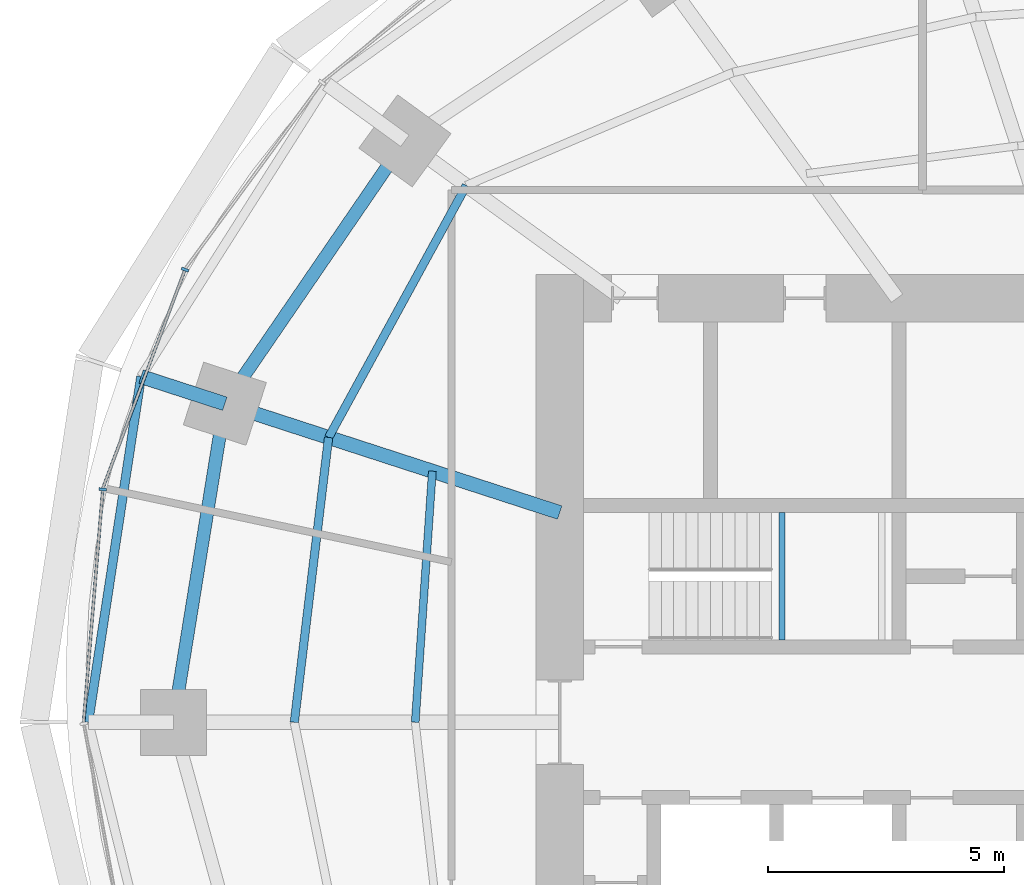
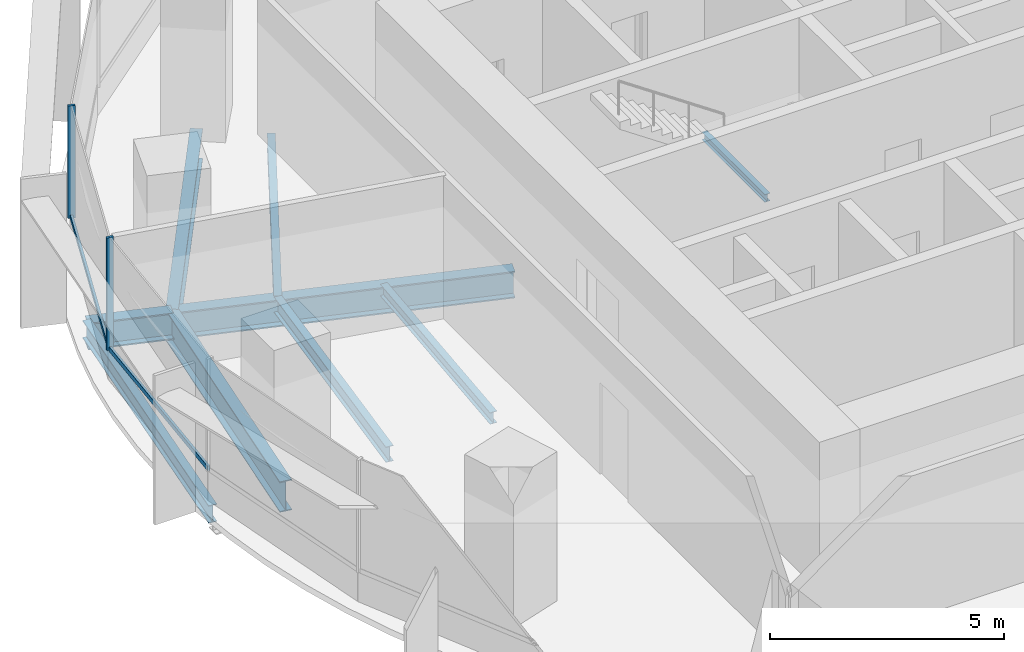
# One storey, part 4 of 15: 9 beams, 4 members, 1 element without a shape of its own.
"""IFC4 building model written with IfcOpenShell, lengths in metres."""

from ifc_helpers import new_model, si_unit, direction, frame, origin, origin_2d, place, context, subcontext, project, spatial, rectangle, i_section, extrude, material, material_profile, profile_set, type_object, element, aggregate, save


model = new_model("IFC4")

# Units and contexts
model_context = context("Model", 3, precision=1e-05, world=origin(), true_north=direction((0.0, 1.0)))
body_context = subcontext(model_context, "Body", "Model", "MODEL_VIEW")
ifc_project = project(units=[si_unit("LENGTHUNIT", "METRE"), si_unit("AREAUNIT", "SQUARE_METRE"), si_unit("VOLUMEUNIT", "CUBIC_METRE"), si_unit("PLANEANGLEUNIT", "RADIAN"), si_unit("MASSUNIT", "GRAM", prefix="KILO")], contexts=[model_context])

# Site, building, storey
site_placement = place(None, origin())
site = spatial("IfcSite", under=ifc_project, at=site_placement, CompositionType="ELEMENT")
building_placement = place(site_placement, origin())
building = spatial("IfcBuilding", under=site, at=building_placement, Name="Marramba Exchange Tower", CompositionType="ELEMENT")
storey_placement = place(building_placement, frame((0.0, 0.0, 226.699951171875)))
storey = spatial("IfcBuildingStorey", under=building, at=storey_placement, Name="L55", CompositionType="ELEMENT", Elevation=226.699951171875)

# Beams
ifc_material_1 = material(Name="Steel AS/NZS 3679.2 grade 300", Category="steel")
ifc_material_profile_1 = material_profile(ifc_material_1, i_section(OverallWidth=0.300048828125, OverallDepth=0.699951171875, WebThickness=0.010009765625, FlangeThickness=0.031982421875, at=origin_2d()), Name="700WB173")
ifc_profile_set_1 = profile_set([ifc_material_profile_1], Name="Steel AS/NZS 3679.2 grade 300")
beam_type_1 = type_object("IfcBeamType", Name="Cantilever girder 700WB173", PredefinedType="BEAM", material=ifc_profile_set_1)
beam_1_placement = place(storey_placement, frame((-20.808349609375, 6.760986328125, -0.510009765625), z_axis=(-0.951047511993, 0.309044705395, 0.0), x_axis=(-0.309044705395, -0.951047511993, 0.0)))
element("IfcBeam", 1, at=beam_1_placement, inside=storey, type_object=beam_type_1, Name="Cantilever girder L55 TC10", PredefinedType="BEAM", context=body_context, shape_type="SweptSolid", body=[
    extrude(i_section(OverallWidth=0.300048828125, OverallDepth=0.699951171875, WebThickness=0.010009765625, FlangeThickness=0.031982421875, at=origin_2d()), origin(), (0.0, 0.0, 1.0), 1.868408203125),
])
ifc_material_2 = material(Name="Steel AS/NZS 3679.1 grade 300", Category="steel")
ifc_material_profile_2 = material_profile(ifc_material_2, i_section(OverallWidth=0.166015625, OverallDepth=0.306884765625, WebThickness=0.006591796875, FlangeThickness=0.01171875, FilletRadius=0.011474609375, at=origin_2d()), Name="310UB46.2")
ifc_profile_set_2 = profile_set([ifc_material_profile_2], Name="Steel AS/NZS 3679.1 grade 300")
beam_type_2 = type_object("IfcBeamType", Name="Floor joist 310UB46.2", PredefinedType="JOIST", material=ifc_profile_set_2)
beam_2_placement = place(storey_placement, frame((-16.40283203125, 5.32958984375, -0.3134765625), z_axis=(-0.068096259546, -0.99767875563, 0.0), x_axis=(0.99767875563, -0.068096259546, 0.0)))
element("IfcBeam", 2, at=beam_2_placement, inside=storey, type_object=beam_type_2, Name="Joist L55 bay 10 row 1", PredefinedType="JOIST", context=body_context, shape_type="SweptSolid", body=[
    extrude(i_section(OverallWidth=0.166015625, OverallDepth=0.306884765625, WebThickness=0.006591796875, FlangeThickness=0.01171875, FilletRadius=0.011474609375, at=origin_2d()), origin(), (0.0, 0.0, 1.0), 5.342041015625),
])
ifc_material_profile_3 = material_profile(ifc_material_2, i_section(OverallWidth=0.177978515625, OverallDepth=0.406005859375, WebThickness=0.0078125, FlangeThickness=0.0126953125, FilletRadius=0.011474609375, at=origin_2d()), Name="410UB59.7")
ifc_profile_set_3 = profile_set([ifc_material_profile_3], Name="Steel AS/NZS 3679.1 grade 300")
beam_type_3 = type_object("IfcBeamType", Name="Floor joist 410UB59.7", PredefinedType="JOIST", material=ifc_profile_set_3)
beam_3_placement = place(storey_placement, frame((-15.682373046875, 11.393798828125, -0.363037109375), z_axis=(-0.479584443791, -0.877495732909, 0.0), x_axis=(0.877495732909, -0.479584443791, 0.0)))
element("IfcBeam", 3, at=beam_3_placement, inside=storey, type_object=beam_type_3, Name="Joist L55 bay 09 row 2", PredefinedType="JOIST", context=body_context, shape_type="SweptSolid", body=[
    extrude(i_section(OverallWidth=0.177978515625, OverallDepth=0.406005859375, WebThickness=0.0078125, FlangeThickness=0.0126953125, FilletRadius=0.011474609375, at=origin_2d()), origin(), (0.0, 0.0, 1.0), 6.094970703125),
])
beam_4_placement = place(storey_placement, frame((-18.60546875, 6.04541015625, -0.363037109375), z_axis=(-0.119523078538, -0.992831422597, 0.0), x_axis=(0.992831422597, -0.119523078538, 0.0)))
element("IfcBeam", 4, at=beam_4_placement, inside=storey, type_object=beam_type_3, Name="Joist L55 bay 10 row 2", PredefinedType="JOIST", context=body_context, shape_type="SweptSolid", body=[
    extrude(i_section(OverallWidth=0.177978515625, OverallDepth=0.406005859375, WebThickness=0.0078125, FlangeThickness=0.0126953125, FilletRadius=0.011474609375, at=origin_2d()), origin(), (0.0, 0.0, 1.0), 6.089111328125),
])

# Curtain wall, members
ifc_material_3 = material(Name="Aluminium framing, bronze anodised", Category="aluminium")
curtain_wall_type = type_object("IfcCurtainWallType", Name="Office ribbon curtain wall", PredefinedType="USERDEFINED", material=ifc_material_3)
curtain_wall_placement = place(storey_placement, origin())
curtain_wall = element("IfcCurtainWall", 5, at=curtain_wall_placement, inside=storey, type_object=curtain_wall_type, Name="Curtain wall CW4 L55 F11-F15", ObjectType="RIBBON CURTAIN WALL", PredefinedType="USERDEFINED")
ifc_material_4 = material(Name="Aluminium mullion, bronze anodised", Category="aluminium")
ifc_material_profile_4 = material_profile(ifc_material_4, rectangle(XDim=0.159912109375, YDim=0.06005859375, at=origin_2d()), Name="CW4 mullion 60x160")
ifc_profile_set_4 = profile_set([ifc_material_profile_4], Name="Aluminium mullion, bronze anodised")
member_type_1 = type_object("IfcMemberType", Name="Office ribbon curtain wall mullion", PredefinedType="MULLION", material=ifc_profile_set_4)
member_1_placement = place(storey_placement, frame((-21.65283203125, 9.607666015625, 0.800048828125), z_axis=(0.0, 0.0, 1.0), x_axis=(0.936018231909, -0.351951515885, 0.0)))
member_1 = element("IfcMember", 6, at=member_1_placement, type_object=member_type_1, Name="CW4 mullion 1", PredefinedType="MULLION", context=body_context, shape_type="SweptSolid", body=[
    extrude(rectangle(XDim=0.159912109375, YDim=0.06005859375, at=origin_2d()), origin(), (0.0, 0.0, 1.0), 2.93994140625),
])
member_2_placement = place(storey_placement, frame((-23.39794921875, 4.94287109375, 0.800048828125), z_axis=(0.0, 0.0, 1.0), x_axis=(0.996609178714, -0.082280890264, 0.0)))
member_2 = element("IfcMember", 7, at=member_2_placement, type_object=member_type_1, Name="CW4 mullion 1", PredefinedType="MULLION", context=body_context, shape_type="SweptSolid", body=[
    extrude(rectangle(XDim=0.159912109375, YDim=0.06005859375, at=origin_2d()), origin(), (0.0, 0.0, 1.0), 2.93994140625),
])
ifc_material_5 = material(Name="Aluminium transom, bronze anodised", Category="aluminium")
ifc_material_profile_5 = material_profile(ifc_material_5, rectangle(XDim=0.06005859375, YDim=0.1201171875, at=origin_2d()), Name="CW4 transom 60x120")
ifc_profile_set_5 = profile_set([ifc_material_profile_5], Name="Aluminium transom, bronze anodised")
member_type_2 = type_object("IfcMemberType", Name="Office ribbon curtain wall transom", PredefinedType="USERDEFINED", material=ifc_profile_set_5)
member_3_placement = place(storey_placement, frame((-21.663330078125, 9.57958984375, 0.830078125), z_axis=(-0.351955054115, -0.936016901494, 0.0), x_axis=(0.936016901494, -0.351955054115, 0.0)))
member_3 = element("IfcMember", 8, at=member_3_placement, type_object=member_type_2, Name="CW4 sill transom", ObjectType="TRANSOM", PredefinedType="USERDEFINED", context=body_context, shape_type="SweptSolid", body=[
    extrude(rectangle(XDim=0.06005859375, YDim=0.1201171875, at=origin_2d()), origin(), (0.0, 0.0, 1.0), 4.921630859375),
])
member_4_placement = place(storey_placement, frame((-23.400390625, 4.9130859375, 0.830078125), z_axis=(-0.082258542539, -0.996611023509, 0.0), x_axis=(0.996611023509, -0.082258542539, 0.0)))
member_4 = element("IfcMember", 9, at=member_4_placement, type_object=member_type_2, Name="CW4 sill transom", ObjectType="TRANSOM", PredefinedType="USERDEFINED", context=body_context, shape_type="SweptSolid", body=[
    extrude(rectangle(XDim=0.06005859375, YDim=0.1201171875, at=origin_2d()), origin(), (0.0, 0.0, 1.0), 4.9296875),
])
aggregate(curtain_wall, [member_1, member_3, member_2, member_4])

# Beams
ifc_material_profile_6 = material_profile(ifc_material_1, i_section(OverallWidth=0.300048828125, OverallDepth=0.699951171875, WebThickness=0.010009765625, FlangeThickness=0.031982421875, at=origin_2d()), Name="700WB173")
ifc_profile_set_6 = profile_set([ifc_material_profile_6], Name="Steel AS/NZS 3679.2 grade 300")
beam_type_4 = type_object("IfcBeamType", Name="Radial girder 700WB173", PredefinedType="BEAM", material=ifc_profile_set_6)
beam_5_placement = place(storey_placement, frame((-13.699951171875, 4.451416015625, -0.510009765625), z_axis=(-0.951059990189, 0.309006302624, 0.0), x_axis=(-0.309006302624, -0.951059990189, 0.0)))
element("IfcBeam", 10, at=beam_5_placement, inside=storey, type_object=beam_type_4, Name="Radial girder L55 TC10", PredefinedType="BEAM", context=body_context, shape_type="SweptSolid", body=[
    extrude(i_section(OverallWidth=0.300048828125, OverallDepth=0.699951171875, WebThickness=0.010009765625, FlangeThickness=0.031982421875, at=origin_2d()), origin(), (0.0, 0.0, 1.0), 7.47412109375),
])
ifc_material_profile_7 = material_profile(ifc_material_1, i_section(OverallWidth=0.27490234375, OverallDepth=0.800048828125, WebThickness=0.010009765625, FlangeThickness=0.02490234375, at=origin_2d()), Name="800WB168")
ifc_profile_set_7 = profile_set([ifc_material_profile_7], Name="Steel AS/NZS 3679.2 grade 300")
beam_type_5 = type_object("IfcBeamType", Name="Ring beam 800WB168", PredefinedType="SPANDREL", material=ifc_profile_set_7)
beam_6_placement = place(storey_placement, frame((-16.98583984375, 12.3408203125, -0.56005859375), z_axis=(-0.56516002054, -0.824981303535, 0.0), x_axis=(0.824981303535, -0.56516002054, 0.0)))
element("IfcBeam", 11, at=beam_6_placement, inside=storey, type_object=beam_type_5, Name="Ring beam L55 TC09-TC10", PredefinedType="SPANDREL", context=body_context, shape_type="SweptSolid", body=[
    extrude(i_section(OverallWidth=0.27490234375, OverallDepth=0.800048828125, WebThickness=0.010009765625, FlangeThickness=0.02490234375, at=origin_2d()), origin(), (0.0, 0.0, 1.0), 6.763671875),
])
beam_7_placement = place(storey_placement, frame((-20.808349609375, 6.760986328125, -0.56005859375), z_axis=(-0.159384865399, -0.987216523708, 0.0), x_axis=(0.987216523708, -0.159384865399, 0.0)))
element("IfcBeam", 12, at=beam_7_placement, inside=storey, type_object=beam_type_5, Name="Ring beam L55 TC10-TC11", PredefinedType="SPANDREL", context=body_context, shape_type="SweptSolid", body=[
    extrude(i_section(OverallWidth=0.27490234375, OverallDepth=0.800048828125, WebThickness=0.010009765625, FlangeThickness=0.02490234375, at=origin_2d()), origin(), (0.0, 0.0, 1.0), 6.8486328125),
])
ifc_material_profile_8 = material_profile(ifc_material_2, i_section(OverallWidth=0.19091796875, OverallDepth=0.4599609375, WebThickness=0.010009765625, FlangeThickness=0.01611328125, FilletRadius=0.011474609375, at=origin_2d()), Name="460UB82.1")
ifc_profile_set_8 = profile_set([ifc_material_profile_8], Name="Steel AS/NZS 3679.1 grade 300")
beam_type_6 = type_object("IfcBeamType", Name="Slab edge beam 460UB82.1", PredefinedType="SPANDREL", material=ifc_profile_set_8)
beam_8_placement = place(storey_placement, frame((-22.585205078125, 7.33837890625, -0.389892578125), z_axis=(-0.150987012186, -0.988535746522, 0.0), x_axis=(0.988535746522, -0.150987012186, 0.0)))
element("IfcBeam", 13, at=beam_8_placement, inside=storey, type_object=beam_type_6, Name="Slab edge beam L55 TC10-TC11", PredefinedType="SPANDREL", context=body_context, shape_type="SweptSolid", body=[
    extrude(i_section(OverallWidth=0.19091796875, OverallDepth=0.4599609375, WebThickness=0.010009765625, FlangeThickness=0.01611328125, FilletRadius=0.011474609375, at=origin_2d()), origin(), (0.0, 0.0, 1.0), 7.423583984375),
])
ifc_material_profile_9 = material_profile(ifc_material_2, i_section(OverallWidth=0.133056640625, OverallDepth=0.202880859375, WebThickness=0.005859375, FlangeThickness=0.0078125, FilletRadius=0.0087890625, at=origin_2d()), Name="200UB25.4")
ifc_profile_set_9 = profile_set([ifc_material_profile_9], Name="Steel AS/NZS 3679.1 grade 300")
beam_type_7 = type_object("IfcBeamType", Name="Stair landing beam 200UB25.4", PredefinedType="BEAM", material=ifc_profile_set_9)
beam_9_placement = place(storey_placement, frame((-8.9833984375, 1.75, 1.6484375), z_axis=(0.0, 1.0, 0.0), x_axis=(-1.0, 0.0, 0.0)))
element("IfcBeam", 14, at=beam_9_placement, inside=storey, type_object=beam_type_7, Name="Stair landing beam SLB1 ST1 L55 1", PredefinedType="BEAM", context=body_context, shape_type="SweptSolid", body=[
    extrude(i_section(OverallWidth=0.133056640625, OverallDepth=0.202880859375, WebThickness=0.005859375, FlangeThickness=0.0078125, FilletRadius=0.0087890625, at=origin_2d()), origin(), (0.0, 0.0, 1.0), 2.699951171875),
])

save(model, "model.ifc")
